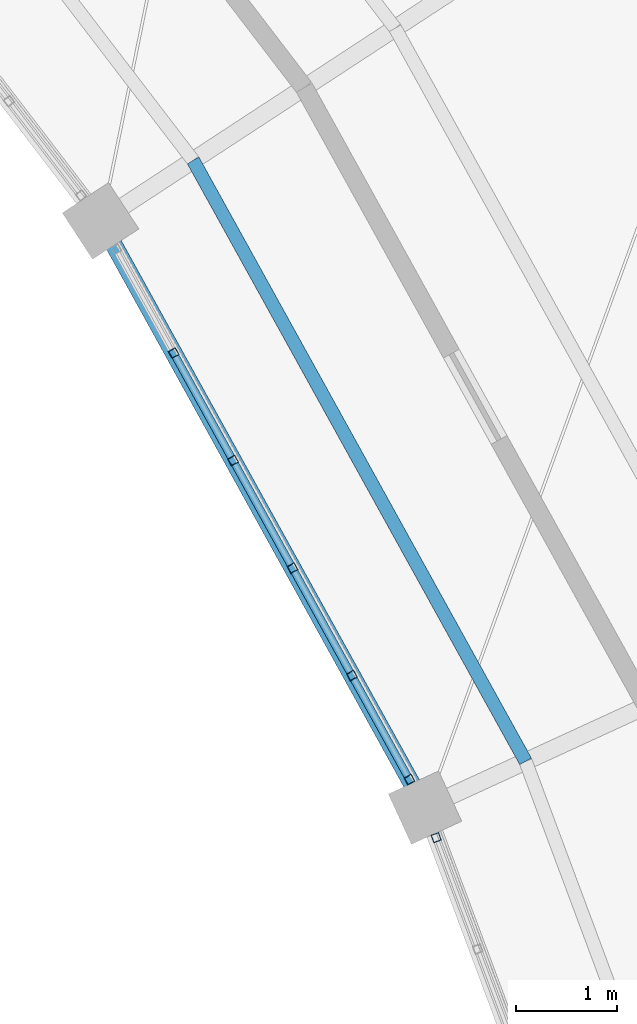
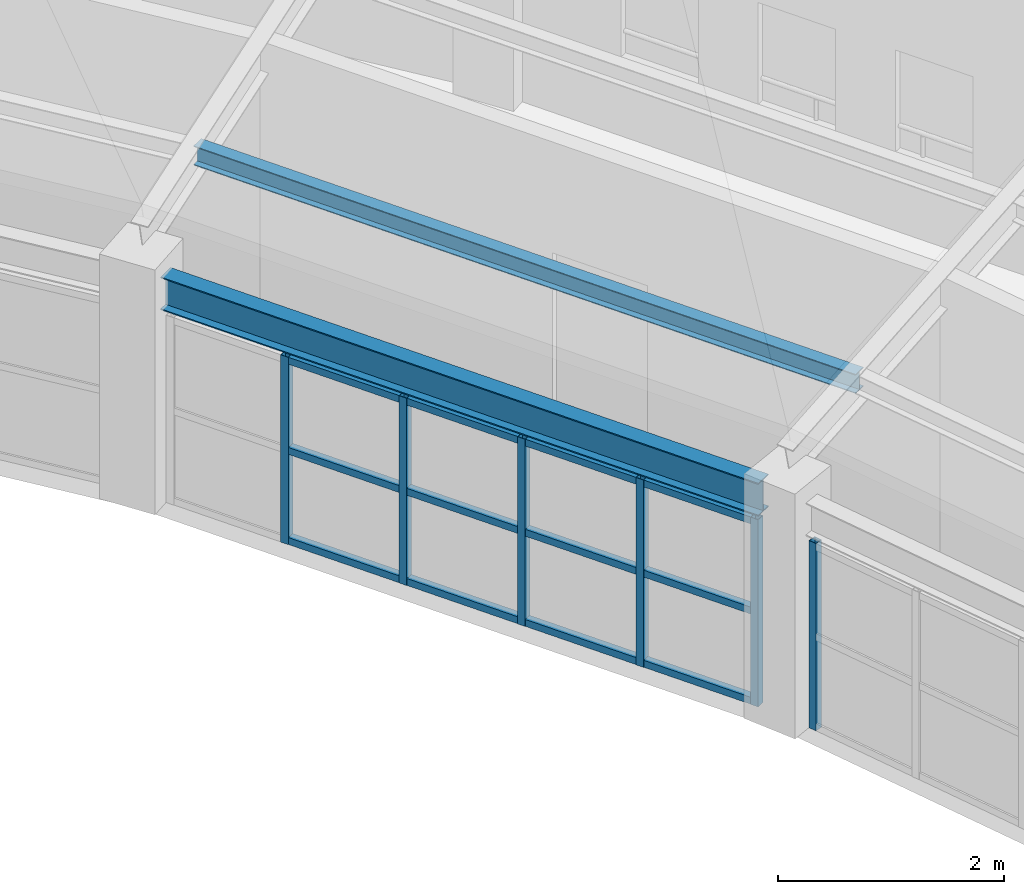
# One storey, part 81 of 149: 19 members, 1 beam, 2 elements without a shape of their own.
"""IFC4 building model written with IfcOpenShell, lengths in metres."""

import ifcopenshell
import ifcopenshell.guid

model = None  # the IFC model being written
_history = None  # IfcOwnerHistory: only IFC2X3 demands one
_inside = {}  # id of a spatial element -> (the spatial element, [elements in it])
_under = {}  # id of a project, library or spatial element -> (it, [spatial elements below it])
_declared = {}  # id of a project -> (the project, [libraries it declares])
_typed = {}  # id of a type object -> (the type object, [elements of that type])
_made_of = {}  # id of a material, layer set ... -> (it, [elements and type objects made of it])


def new_model(schema):
    """Start an empty IFC model of exactly this schema.

    Asked for "IFC4X3", IfcOpenShell would pick the latest addendum, in which some entities
    have other attributes; the version numbers below select the first issue.
    IFC2X3 requires an IfcOwnerHistory on every rooted entity: one is made here for all.
    """
    global model, _history
    if schema == "IFC4X3":
        model = ifcopenshell.file(schema_version=(4, 3, 0, 0))
    else:
        model = ifcopenshell.file(schema=schema)
    _inside.clear()
    _under.clear()
    _declared.clear()
    _typed.clear()
    _made_of.clear()
    _history = None
    if model.schema == "IFC2X3":
        org = make("IfcOrganization", Name="unknown")
        user = make(
            "IfcPersonAndOrganization",
            ThePerson=make("IfcPerson", FamilyName="unknown"),
            TheOrganization=org,
        )
        app = make(
            "IfcApplication",
            ApplicationDeveloper=org,
            Version="unknown",
            ApplicationFullName="unknown",
            ApplicationIdentifier="unknown",
        )
        _history = make(
            "IfcOwnerHistory",
            OwningUser=user,
            OwningApplication=app,
            ChangeAction="ADDED",
            CreationDate=0,
        )
    return model


def make(cls, **values):
    """One entity of the class cls with the attributes given. An attribute that is None is left unset."""
    return model.create_entity(
        cls, **{name: value for name, value in values.items() if value is not None}
    )


def rooted(cls, **values):
    """An entity with a GlobalId (a new one), such as an element, a storey or a relation."""
    return make(cls, GlobalId=ifcopenshell.guid.new(), OwnerHistory=_history, **values)


def si_unit(unit_type, name, prefix=None):
    """IfcSIUnit, for example si_unit("LENGTHUNIT", "METRE", prefix="MILLI")."""
    return make("IfcSIUnit", UnitType=unit_type, Prefix=prefix, Name=name)


def assignment(units):
    """IfcUnitAssignment: the units of a project."""
    return None if units is None else make("IfcUnitAssignment", Units=units)


def point(xyz):
    """IfcCartesianPoint."""
    return None if xyz is None else make("IfcCartesianPoint", Coordinates=xyz)


def direction(xyz):
    """IfcDirection."""
    return None if xyz is None else make("IfcDirection", DirectionRatios=xyz)


def frame(location, z_axis=None, x_axis=None):
    """IfcAxis2Placement3D, a coordinate frame: its origin and axes. An axis left out is left unset."""
    return make(
        "IfcAxis2Placement3D",
        Location=point(location),
        Axis=direction(z_axis),
        RefDirection=direction(x_axis),
    )


def frame_2d(location, x_axis=None):
    """IfcAxis2Placement2D, a coordinate frame in the plane: its origin and x axis."""
    return make(
        "IfcAxis2Placement2D", Location=point(location), RefDirection=direction(x_axis)
    )


def origin():
    """The frame at (0, 0, 0) with its axes left unset."""
    return frame((0.0, 0.0, 0.0))


def origin_2d():
    """The frame at (0, 0) in the plane with its x axis left unset."""
    return frame_2d((0.0, 0.0))


def place(relative_to, where):
    """IfcLocalPlacement: puts the frame where relative to a parent placement (None: the world)."""
    return make(
        "IfcLocalPlacement", PlacementRelTo=relative_to, RelativePlacement=where
    )


def context(
    kind, dimensions, precision=None, world=None, true_north=None, identifier=None
):
    """IfcGeometricRepresentationContext, for example the 3D "Model" context."""
    return make(
        "IfcGeometricRepresentationContext",
        ContextIdentifier=identifier,
        ContextType=kind,
        CoordinateSpaceDimension=dimensions,
        Precision=precision,
        WorldCoordinateSystem=world,
        TrueNorth=true_north,
    )


def subcontext(parent, identifier, kind, view, scale=None):
    """IfcGeometricRepresentationSubContext, for example "Body" below "Model"."""
    return make(
        "IfcGeometricRepresentationSubContext",
        ContextIdentifier=identifier,
        ContextType=kind,
        ParentContext=parent,
        TargetScale=scale,
        TargetView=view,
    )


def project(units=None, contexts=None):
    """IfcProject with its units and contexts."""
    return rooted(
        "IfcProject",
        Name="project",
        RepresentationContexts=contexts,
        UnitsInContext=assignment(units),
    )


def spatial(cls, under=None, at=None, **own):
    """A site, building, storey or space (cls), placed at a placement, below another one or the project."""
    s = rooted(cls, ObjectPlacement=at, **own)
    if under is not None:
        _under.setdefault(under.id(), (under, []))[1].append(s)
    return s


def profile(cls, at=None, kind="AREA", **sizes):
    """A parametric profile (cls). Its sizes go by their IFC names, for example OverallWidth=200.0."""
    return make(cls, ProfileType=kind, Position=at, **sizes)


def hollow_rectangle(**sizes):
    """IfcRectangleHollowProfileDef."""
    return profile("IfcRectangleHollowProfileDef", **sizes)


def i_section(**sizes):
    """IfcIShapeProfileDef."""
    return profile("IfcIShapeProfileDef", **sizes)


def extrude(swept, where, along, depth):
    """IfcExtrudedAreaSolid: the profile swept, set in the frame where, extruded along a direction by depth."""
    return make(
        "IfcExtrudedAreaSolid",
        SweptArea=swept,
        Position=where,
        ExtrudedDirection=direction(along),
        Depth=depth,
    )


def shape(context_of_items, identifier, shape_type, items):
    """IfcShapeRepresentation: the items that make up one representation, for example the "Body"."""
    return make(
        "IfcShapeRepresentation",
        ContextOfItems=context_of_items,
        RepresentationIdentifier=identifier,
        RepresentationType=shape_type,
        Items=items,
    )


def material(Name=None, Category=None):
    """IfcMaterial."""
    return make("IfcMaterial", Name=Name, Category=Category)


def material_profile(
    of_material, cross_section, Name=None, Category=None, Priority=None
):
    """IfcMaterialProfile: a cross section and its material."""
    return make(
        "IfcMaterialProfile",
        Name=Name,
        Material=of_material,
        Profile=cross_section,
        Priority=Priority,
        Category=Category,
    )


def profile_set(profiles, Name=None, composite=None):
    """IfcMaterialProfileSet."""
    return make(
        "IfcMaterialProfileSet",
        Name=Name,
        MaterialProfiles=profiles,
        CompositeProfile=composite,
    )


def made_of(thing, what):
    """Note that an element or type object is made of a material, layer set ...; save() writes the relation."""
    if what is not None:
        _made_of.setdefault(what.id(), (what, []))[1].append(thing)
    return thing


def type_object(cls, material=None, **own):
    """A type object (cls), such as IfcWallType, which elements share."""
    return made_of(rooted(cls, **own), material)


def element(
    cls,
    number,
    at=None,
    inside=None,
    cuts=None,
    type_object=None,
    material=None,
    context=None,
    identifier="Body",
    shape_type=None,
    held_by="IfcProductDefinitionShape",
    body=None,
    shapes=None,
    **own,
):
    """One element of the class cls, such as IfcWall. Its Tag is "e" and its number.

    at: its placement. inside: the storey or other place that contains it. cuts: it is an
    opening in that element (IfcRelVoidsElement). A single representation is given by context,
    identifier, shape_type and body (its items); several are given by shapes. held_by: the class
    of the entity that holds the representations. save() writes the other relations.
    """
    e = rooted(cls, Tag="e%d" % number, ObjectPlacement=at, **own)
    if body is not None:
        shapes = [shape(context, identifier, shape_type, body)]
    if shapes is not None:
        e.Representation = make(held_by, Representations=shapes)
    if inside is not None:
        _inside.setdefault(inside.id(), (inside, []))[1].append(e)
    if cuts is not None:
        rooted(
            "IfcRelVoidsElement", RelatingBuildingElement=cuts, RelatedOpeningElement=e
        )
    if type_object is not None:
        _typed.setdefault(type_object.id(), (type_object, []))[1].append(e)
    return made_of(e, material)


def aggregate(whole, parts):
    """IfcRelAggregates: a whole, such as a stair, and the parts it consists of."""
    return rooted("IfcRelAggregates", RelatingObject=whole, RelatedObjects=parts)


def save(model, path):
    """Write the relations noted so far, then the file.

    IfcRelAggregates (storeys below a building ...), IfcRelContainedInSpatialStructure (elements
    in a storey), IfcRelDefinesByType, IfcRelAssociatesMaterial and IfcRelDeclares: one each for
    every whole, place, type object, material and project.
    """
    for whole, parts in _under.values():
        aggregate(whole, parts)
    for where, things in _inside.values():
        rooted(
            "IfcRelContainedInSpatialStructure",
            RelatedElements=things,
            RelatingStructure=where,
        )
    for kind, things in _typed.values():
        rooted("IfcRelDefinesByType", RelatedObjects=things, RelatingType=kind)
    for what, things in _made_of.values():
        rooted("IfcRelAssociatesMaterial", RelatedObjects=things, RelatingMaterial=what)
    for by, libraries in _declared.values():
        rooted("IfcRelDeclares", RelatingContext=by, RelatedDefinitions=libraries)
    model.write(path)


model = new_model("IFC4")

# Units and contexts
model_context = context("Model", 3, precision=1e-05, world=origin(), true_north=direction((0.0, 1.0)))
body_context = subcontext(model_context, "Body", "Model", "MODEL_VIEW")
ifc_project = project(units=[si_unit("LENGTHUNIT", "METRE"), si_unit("AREAUNIT", "SQUARE_METRE"), si_unit("VOLUMEUNIT", "CUBIC_METRE"), si_unit("PLANEANGLEUNIT", "RADIAN"), si_unit("MASSUNIT", "GRAM", prefix="KILO")], contexts=[model_context])

# Site, building, storey
site_placement = place(None, origin())
site = spatial("IfcSite", under=ifc_project, at=site_placement, CompositionType="ELEMENT")
building_placement = place(site_placement, origin())
building = spatial("IfcBuilding", under=site, at=building_placement, Name="Celadon Cloister-Ring School", CompositionType="ELEMENT")
storey_placement = place(building_placement, frame((0.0, 0.0, 12.5)))
storey = spatial("IfcBuildingStorey", under=building, at=storey_placement, Name="L03", CompositionType="ELEMENT", Elevation=12.5)

# Curtain wall, member
ifc_material_1 = material(Name="Aluminium EN AW-6063 T6", Category="aluminium")
curtain_wall_type = type_object("IfcCurtainWallType", Name="CW-02", PredefinedType="USERDEFINED", material=ifc_material_1)
curtain_wall_1_placement = place(storey_placement, origin())
curtain_wall_1 = element("IfcCurtainWall", 1, at=curtain_wall_1_placement, inside=storey, type_object=curtain_wall_type, Name="Curtain Wall 0074", ObjectType="CURTAIN WALL", PredefinedType="USERDEFINED")
ifc_material_2 = material(Name="Aluminium EN AW-6063 T6", Category="aluminium")
ifc_material_profile_1 = material_profile(ifc_material_2, hollow_rectangle(XDim=0.080078125, YDim=0.080078125, WallThickness=0.00390625, at=origin_2d()), Name="RHS80X80X4")
ifc_profile_set_1 = profile_set([ifc_material_profile_1], Name="Aluminium EN AW-6063 T6")
member_type_1 = type_object("IfcMemberType", Name="CM-03", PredefinedType="MULLION", material=ifc_profile_set_1)
member_1_placement = place(storey_placement, frame((127.994873046875, 77.50244140625, 0.0), z_axis=(0.0, 0.0, 1.0), x_axis=(-0.93694659603, -0.349472568576, 0.0)))
member_1 = element("IfcMember", 2, at=member_1_placement, type_object=member_type_1, Name="CW-02 mullion 6", PredefinedType="MULLION", context=body_context, shape_type="SweptSolid", body=[
    extrude(hollow_rectangle(XDim=0.080078125, YDim=0.080078125, WallThickness=0.00390625, at=origin_2d()), origin(), (0.0, 0.0, 1.0), 2.02001953125),
])
aggregate(curtain_wall_1, [member_1])

# Curtain wall, members
curtain_wall_2_placement = place(storey_placement, origin())
curtain_wall_2 = element("IfcCurtainWall", 3, at=curtain_wall_2_placement, inside=storey, type_object=curtain_wall_type, Name="Curtain Wall 0075", ObjectType="CURTAIN WALL", PredefinedType="USERDEFINED")
member_2_placement = place(storey_placement, frame((127.729736328125, 78.080078125, 0.0), z_axis=(0.0, 0.0, 1.0), x_axis=(-0.875128442804, -0.483890699018, 0.0)))
member_2 = element("IfcMember", 4, at=member_2_placement, type_object=member_type_1, Name="CW-02 mullion 1", PredefinedType="MULLION", context=body_context, shape_type="SweptSolid", body=[
    extrude(hollow_rectangle(XDim=0.080078125, YDim=0.080078125, WallThickness=0.00390625, at=origin_2d()), origin(), (0.0, 0.0, 1.0), 2.02001953125),
])
member_3_placement = place(storey_placement, frame((127.15771484375, 79.1142578125, 0.0), z_axis=(0.0, 0.0, 1.0), x_axis=(-0.875128442804, -0.483890699018, 0.0)))
member_3 = element("IfcMember", 5, at=member_3_placement, type_object=member_type_1, Name="CW-02 mullion 2", PredefinedType="MULLION", context=body_context, shape_type="SweptSolid", body=[
    extrude(hollow_rectangle(XDim=0.080078125, YDim=0.080078125, WallThickness=0.00390625, at=origin_2d()), origin(), (0.0, 0.0, 1.0), 2.02001953125),
])
member_4_placement = place(storey_placement, frame((126.566650390625, 80.183349609375, 0.0), z_axis=(0.0, 0.0, 1.0), x_axis=(-0.875128442804, -0.483890699018, 0.0)))
member_4 = element("IfcMember", 6, at=member_4_placement, type_object=member_type_1, Name="CW-02 mullion 3", PredefinedType="MULLION", context=body_context, shape_type="SweptSolid", body=[
    extrude(hollow_rectangle(XDim=0.080078125, YDim=0.080078125, WallThickness=0.00390625, at=origin_2d()), origin(), (0.0, 0.0, 1.0), 2.02001953125),
])
member_5_placement = place(storey_placement, frame((125.975341796875, 81.252685546875, 0.0), z_axis=(0.0, 0.0, 1.0), x_axis=(-0.875128442804, -0.483890699018, 0.0)))
member_5 = element("IfcMember", 7, at=member_5_placement, type_object=member_type_1, Name="CW-02 mullion 4", PredefinedType="MULLION", context=body_context, shape_type="SweptSolid", body=[
    extrude(hollow_rectangle(XDim=0.080078125, YDim=0.080078125, WallThickness=0.00390625, at=origin_2d()), origin(), (0.0, 0.0, 1.0), 2.02001953125),
])
member_6_placement = place(storey_placement, frame((125.38427734375, 82.32177734375, 0.0), z_axis=(0.0, 0.0, 1.0), x_axis=(-0.875128442804, -0.483890699018, 0.0)))
member_6 = element("IfcMember", 8, at=member_6_placement, type_object=member_type_1, Name="CW-02 mullion 5", PredefinedType="MULLION", context=body_context, shape_type="SweptSolid", body=[
    extrude(hollow_rectangle(XDim=0.080078125, YDim=0.080078125, WallThickness=0.00390625, at=origin_2d()), origin(), (0.0, 0.0, 1.0), 2.02001953125),
])
ifc_material_3 = material(Name="Aluminium EN AW-6063 T6", Category="aluminium")
ifc_material_profile_2 = material_profile(ifc_material_3, hollow_rectangle(XDim=0.074951171875, YDim=0.074951171875, WallThickness=0.00390625, at=origin_2d()), Name="RHS75X75X4")
ifc_profile_set_2 = profile_set([ifc_material_profile_2], Name="Aluminium EN AW-6063 T6")
member_type_2 = type_object("IfcMemberType", Name="CTM-03", PredefinedType="USERDEFINED", material=ifc_profile_set_2)
member_7_placement = place(storey_placement, frame((127.710205078125, 78.114990234375, 0.03759765625), z_axis=(-0.483797799838, 0.875179803738, 0.0), x_axis=(-0.875179803738, -0.483797799838, 0.0)))
member_7 = element("IfcMember", 9, at=member_7_placement, type_object=member_type_2, Name="CW-02 transom 1.1", ObjectType="TRANSOM", PredefinedType="USERDEFINED", context=body_context, shape_type="SweptSolid", body=[
    extrude(hollow_rectangle(XDim=0.074951171875, YDim=0.074951171875, WallThickness=0.00390625, at=origin_2d()), origin(), (0.0, 0.0, 1.0), 1.1015625),
])
member_8_placement = place(storey_placement, frame((127.710205078125, 78.114990234375, 1.010009765625), z_axis=(-0.483797799838, 0.875179803738, 0.0), x_axis=(-0.875179803738, -0.483797799838, 0.0)))
member_8 = element("IfcMember", 10, at=member_8_placement, type_object=member_type_2, Name="CW-02 transom 1.2", ObjectType="TRANSOM", PredefinedType="USERDEFINED", context=body_context, shape_type="SweptSolid", body=[
    extrude(hollow_rectangle(XDim=0.074951171875, YDim=0.074951171875, WallThickness=0.00390625, at=origin_2d()), origin(), (0.0, 0.0, 1.0), 1.1015625),
])
member_9_placement = place(storey_placement, frame((127.710205078125, 78.114990234375, 1.982421875), z_axis=(-0.483797799838, 0.875179803738, 0.0), x_axis=(-0.875179803738, -0.483797799838, 0.0)))
member_9 = element("IfcMember", 11, at=member_9_placement, type_object=member_type_2, Name="CW-02 transom 1.3", ObjectType="TRANSOM", PredefinedType="USERDEFINED", context=body_context, shape_type="SweptSolid", body=[
    extrude(hollow_rectangle(XDim=0.074951171875, YDim=0.074951171875, WallThickness=0.00390625, at=origin_2d()), origin(), (0.0, 0.0, 1.0), 1.1015625),
])
member_10_placement = place(storey_placement, frame((127.138427734375, 79.149169921875, 0.03759765625), z_axis=(-0.483862825126, 0.875143854724, 0.0), x_axis=(-0.875143854724, -0.483862825126, 0.0)))
member_10 = element("IfcMember", 12, at=member_10_placement, type_object=member_type_2, Name="CW-02 transom 2.1", ObjectType="TRANSOM", PredefinedType="USERDEFINED", context=body_context, shape_type="SweptSolid", body=[
    extrude(hollow_rectangle(XDim=0.074951171875, YDim=0.074951171875, WallThickness=0.00390625, at=origin_2d()), origin(), (0.0, 0.0, 1.0), 1.141845703125),
])
member_11_placement = place(storey_placement, frame((127.138427734375, 79.149169921875, 1.010009765625), z_axis=(-0.483862825126, 0.875143854724, 0.0), x_axis=(-0.875143854724, -0.483862825126, 0.0)))
member_11 = element("IfcMember", 13, at=member_11_placement, type_object=member_type_2, Name="CW-02 transom 2.2", ObjectType="TRANSOM", PredefinedType="USERDEFINED", context=body_context, shape_type="SweptSolid", body=[
    extrude(hollow_rectangle(XDim=0.074951171875, YDim=0.074951171875, WallThickness=0.00390625, at=origin_2d()), origin(), (0.0, 0.0, 1.0), 1.141845703125),
])
member_12_placement = place(storey_placement, frame((127.138427734375, 79.149169921875, 1.982421875), z_axis=(-0.483862825126, 0.875143854724, 0.0), x_axis=(-0.875143854724, -0.483862825126, 0.0)))
member_12 = element("IfcMember", 14, at=member_12_placement, type_object=member_type_2, Name="CW-02 transom 2.3", ObjectType="TRANSOM", PredefinedType="USERDEFINED", context=body_context, shape_type="SweptSolid", body=[
    extrude(hollow_rectangle(XDim=0.074951171875, YDim=0.074951171875, WallThickness=0.00390625, at=origin_2d()), origin(), (0.0, 0.0, 1.0), 1.141845703125),
])
member_13_placement = place(storey_placement, frame((126.54736328125, 80.218505859375, 0.03759765625), z_axis=(-0.483953379254, 0.875093781665, 0.0), x_axis=(-0.875093781665, -0.483953379254, 0.0)))
member_13 = element("IfcMember", 15, at=member_13_placement, type_object=member_type_2, Name="CW-02 transom 3.1", ObjectType="TRANSOM", PredefinedType="USERDEFINED", context=body_context, shape_type="SweptSolid", body=[
    extrude(hollow_rectangle(XDim=0.074951171875, YDim=0.074951171875, WallThickness=0.00390625, at=origin_2d()), origin(), (0.0, 0.0, 1.0), 1.1416015625),
])
member_14_placement = place(storey_placement, frame((126.54736328125, 80.218505859375, 1.010009765625), z_axis=(-0.483953379254, 0.875093781665, 0.0), x_axis=(-0.875093781665, -0.483953379254, 0.0)))
member_14 = element("IfcMember", 16, at=member_14_placement, type_object=member_type_2, Name="CW-02 transom 3.2", ObjectType="TRANSOM", PredefinedType="USERDEFINED", context=body_context, shape_type="SweptSolid", body=[
    extrude(hollow_rectangle(XDim=0.074951171875, YDim=0.074951171875, WallThickness=0.00390625, at=origin_2d()), origin(), (0.0, 0.0, 1.0), 1.1416015625),
])
member_15_placement = place(storey_placement, frame((126.54736328125, 80.218505859375, 1.982421875), z_axis=(-0.483953379254, 0.875093781665, 0.0), x_axis=(-0.875093781665, -0.483953379254, 0.0)))
member_15 = element("IfcMember", 17, at=member_15_placement, type_object=member_type_2, Name="CW-02 transom 3.3", ObjectType="TRANSOM", PredefinedType="USERDEFINED", context=body_context, shape_type="SweptSolid", body=[
    extrude(hollow_rectangle(XDim=0.074951171875, YDim=0.074951171875, WallThickness=0.00390625, at=origin_2d()), origin(), (0.0, 0.0, 1.0), 1.1416015625),
])
member_16_placement = place(storey_placement, frame((125.9560546875, 81.28759765625, 0.03759765625), z_axis=(-0.483862825126, 0.875143854724, 0.0), x_axis=(-0.875143854724, -0.483862825126, 0.0)))
member_16 = element("IfcMember", 18, at=member_16_placement, type_object=member_type_2, Name="CW-02 transom 4.1", ObjectType="TRANSOM", PredefinedType="USERDEFINED", context=body_context, shape_type="SweptSolid", body=[
    extrude(hollow_rectangle(XDim=0.074951171875, YDim=0.074951171875, WallThickness=0.00390625, at=origin_2d()), origin(), (0.0, 0.0, 1.0), 1.141845703125),
])
member_17_placement = place(storey_placement, frame((125.9560546875, 81.28759765625, 1.010009765625), z_axis=(-0.483862825126, 0.875143854724, 0.0), x_axis=(-0.875143854724, -0.483862825126, 0.0)))
member_17 = element("IfcMember", 19, at=member_17_placement, type_object=member_type_2, Name="CW-02 transom 4.2", ObjectType="TRANSOM", PredefinedType="USERDEFINED", context=body_context, shape_type="SweptSolid", body=[
    extrude(hollow_rectangle(XDim=0.074951171875, YDim=0.074951171875, WallThickness=0.00390625, at=origin_2d()), origin(), (0.0, 0.0, 1.0), 1.141845703125),
])
member_18_placement = place(storey_placement, frame((125.9560546875, 81.28759765625, 1.982421875), z_axis=(-0.483862825126, 0.875143854724, 0.0), x_axis=(-0.875143854724, -0.483862825126, 0.0)))
member_18 = element("IfcMember", 20, at=member_18_placement, type_object=member_type_2, Name="CW-02 transom 4.3", ObjectType="TRANSOM", PredefinedType="USERDEFINED", context=body_context, shape_type="SweptSolid", body=[
    extrude(hollow_rectangle(XDim=0.074951171875, YDim=0.074951171875, WallThickness=0.00390625, at=origin_2d()), origin(), (0.0, 0.0, 1.0), 1.141845703125),
])
aggregate(curtain_wall_2, [member_2, member_3, member_4, member_5, member_6, member_7, member_8, member_9, member_10, member_11, member_12, member_13, member_14, member_15, member_16, member_17, member_18])

# Beam
ifc_material_4 = material(Name="Structural steel S355JR", Category="steel")
ifc_material_profile_3 = material_profile(ifc_material_4, i_section(OverallWidth=0.1708984375, OverallDepth=0.35498046875, WebThickness=0.007080078125, FlangeThickness=0.01171875, at=origin_2d()), Name="W360X51")
ifc_profile_set_3 = profile_set([ifc_material_profile_3], Name="Structural steel S355JR")
beam_type = type_object("IfcBeamType", Name="GT-08", PredefinedType="USERDEFINED", material=ifc_profile_set_3)
beam_placement = place(storey_placement, frame((127.762939453125, 78.02001953125, 2.27197265625), z_axis=(-0.483920761049, 0.875111819727, 0.0), x_axis=(-0.875111819727, -0.483920761049, 0.0)))
element("IfcBeam", 21, at=beam_placement, inside=storey, type_object=beam_type, Name="Beam 0584", ObjectType="GIRDER", PredefinedType="USERDEFINED", context=body_context, shape_type="SweptSolid", body=[
    extrude(i_section(OverallWidth=0.1708984375, OverallDepth=0.35498046875, WebThickness=0.007080078125, FlangeThickness=0.01171875, at=origin_2d()), origin(), (0.0, 0.0, 1.0), 6.166015625),
])

# Member
ifc_material_5 = material(Name="Structural steel S355JR", Category="steel")
ifc_material_profile_4 = material_profile(ifc_material_5, i_section(OverallWidth=0.133056640625, OverallDepth=0.20703125, WebThickness=0.005859375, FlangeThickness=0.00830078125, at=origin_2d()), Name="W200X27")
ifc_profile_set_4 = profile_set([ifc_material_profile_4], Name="Structural steel S355JR")
member_type_3 = type_object("IfcMemberType", Name="MP-04", PredefinedType="PURLIN", material=ifc_profile_set_4)
member_19_placement = place(storey_placement, frame((128.884033203125, 78.260986328125, 2.970947265625), z_axis=(-0.484088173634, 0.87501922273, 0.0), x_axis=(-0.87501922273, -0.484088173634, 0.0)))
element("IfcMember", 22, at=member_19_placement, inside=storey, type_object=member_type_3, Name="Structural Member 0237", PredefinedType="PURLIN", context=body_context, shape_type="SweptSolid", body=[
    extrude(i_section(OverallWidth=0.133056640625, OverallDepth=0.20703125, WebThickness=0.005859375, FlangeThickness=0.00830078125, at=origin_2d()), origin(), (0.0, 0.0, 1.0), 6.82958984375),
])

save(model, "model.ifc")
